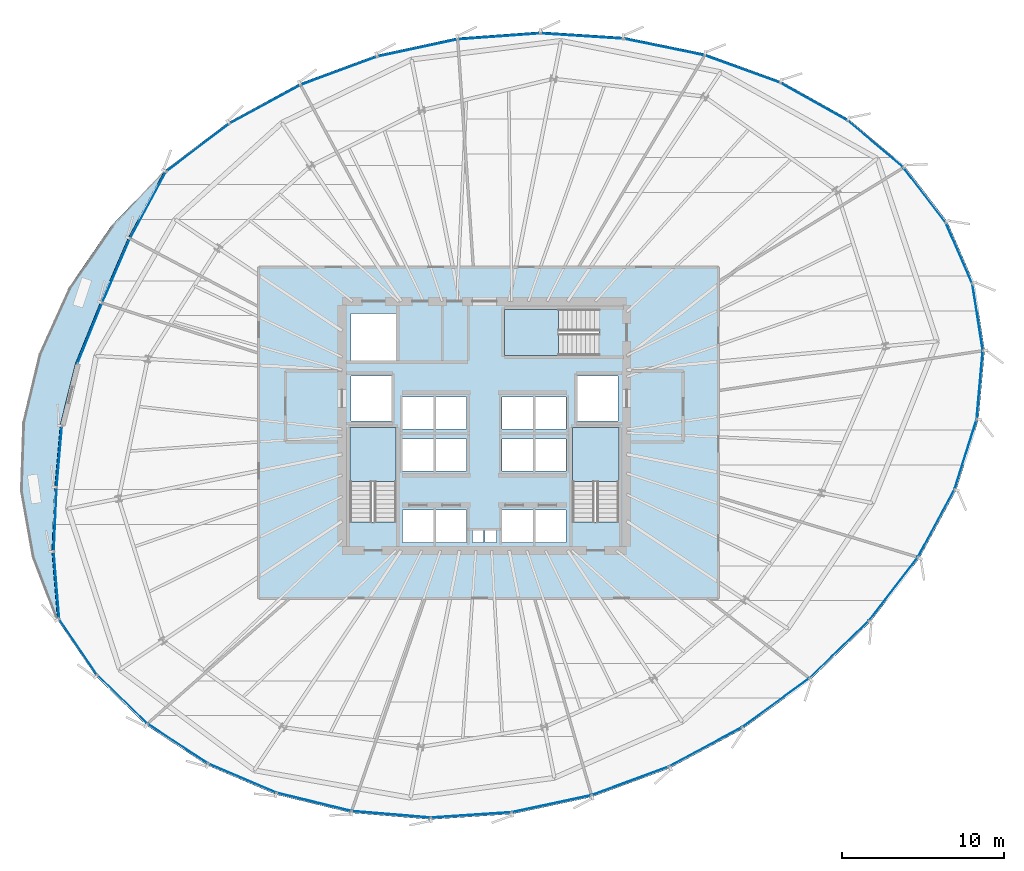
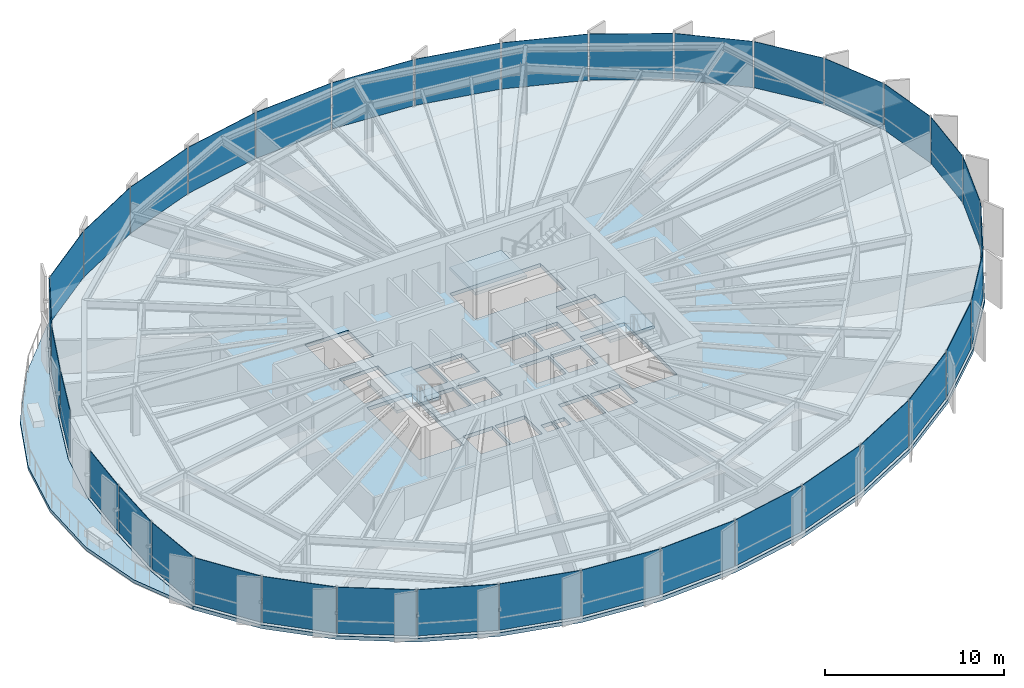
# One storey, part 28 of 35: 35 plates, 5 slabs, 10 elements without a shape of their own.
"""IFC4 building model written with IfcOpenShell, lengths in metres."""

from ifc_helpers import new_model, si_unit, direction, frame, origin, origin_2d, place, context, subcontext, project, spatial, polyline, rectangle, outline, extrude, source, transform, mapped, material, layer, layer_set, type_object, element, aggregate, save


model = new_model("IFC4")

# Units and contexts
model_context = context("Model", 3, precision=1e-05, world=origin(), true_north=direction((0.0, 1.0)))
body_context = subcontext(model_context, "Body", "Model", "MODEL_VIEW")
ifc_project = project(units=[si_unit("LENGTHUNIT", "METRE"), si_unit("AREAUNIT", "SQUARE_METRE"), si_unit("VOLUMEUNIT", "CUBIC_METRE"), si_unit("PLANEANGLEUNIT", "RADIAN"), si_unit("MASSUNIT", "GRAM", prefix="KILO"), si_unit("THERMODYNAMICTEMPERATUREUNIT", "KELVIN")], contexts=[model_context])

# Site, building, storey
site_placement = place(None, origin())
site = spatial("IfcSite", under=ifc_project, at=site_placement, CompositionType="ELEMENT")
building_placement = place(site_placement, origin())
building = spatial("IfcBuilding", under=site, at=building_placement, Name="Kethvar Cultural Tower", CompositionType="ELEMENT")
storey_placement = place(building_placement, frame((0.0, 0.0, 100.0)))
storey = spatial("IfcBuildingStorey", under=building, at=storey_placement, Name="L24", CompositionType="ELEMENT", Elevation=100.0)

# Stair, slab
ifc_material_1 = material(Name="Concrete C40/50", Category="concrete")
stair_type = type_object("IfcStairType", Name="ST-DOGLEG-135", PredefinedType="HALF_TURN_STAIR", material=ifc_material_1)
stair_1_placement = place(storey_placement, origin())
stair_1 = element("IfcStair", 1, at=stair_1_placement, inside=storey, type_object=stair_type, Name="L24 Core Exit Stair 1", PredefinedType="HALF_TURN_STAIR")
ifc_layer_1 = layer(ifc_material_1, 0.199951171875, Name="Concrete C40/50", Category="concrete")
ifc_layer_set_1 = layer_set([ifc_layer_1], Name="Concrete C40/50 (200 mm)")
slab_type_1 = type_object("IfcSlabType", Name="SL-STAIR-LANDING-200", PredefinedType="LANDING", material=ifc_layer_set_1)
slab_1_placement = place(storey_placement, frame((0.0, 0.0, 1.60009765625)))
slab_1 = element("IfcSlab", 2, at=slab_1_placement, type_object=slab_type_1, Name="ST-01 landing 1", PredefinedType="LANDING", context=body_context, shape_type="SweptSolid", body=[
    extrude(outline(polyline([(41.35009765625, 24.3701171875), (41.35009765625, 27.699951171875), (38.489990234375, 27.699951171875), (38.489990234375, 24.3701171875), (41.35009765625, 24.3701171875)])), origin(), (0.0, 0.0, 1.0), 0.199951171875),
])
aggregate(stair_1, [slab_1])

stair_2_placement = place(storey_placement, origin())
stair_2 = element("IfcStair", 3, at=stair_2_placement, inside=storey, type_object=stair_type, Name="L24 Core Exit Stair 2", PredefinedType="HALF_TURN_STAIR")
slab_2_placement = place(storey_placement, frame((0.0, 0.0, 1.60009765625)))
slab_2 = element("IfcSlab", 4, at=slab_2_placement, type_object=slab_type_1, Name="ST-02 landing 1", PredefinedType="LANDING", context=body_context, shape_type="SweptSolid", body=[
    extrude(outline(polyline([(55.110107421875, 24.3701171875), (55.110107421875, 27.699951171875), (52.25, 27.699951171875), (52.25, 24.3701171875), (55.110107421875, 24.3701171875)])), origin(), (0.0, 0.0, 1.0), 0.199951171875),
])
aggregate(stair_2, [slab_2])

stair_3_placement = place(storey_placement, origin())
stair_3 = element("IfcStair", 5, at=stair_3_placement, inside=storey, type_object=stair_type, Name="L24 Core Exit Stair 3", PredefinedType="HALF_TURN_STAIR")
slab_3_placement = place(storey_placement, frame((0.0, 0.0, 1.60009765625)))
slab_3 = element("IfcSlab", 6, at=slab_3_placement, type_object=slab_type_1, Name="ST-03 landing 1", PredefinedType="LANDING", context=body_context, shape_type="SweptSolid", body=[
    extrude(outline(polyline([(51.3798828125, 35.010009765625), (48.050048828125, 35.010009765625), (48.050048828125, 32.14990234375), (51.3798828125, 32.14990234375), (51.3798828125, 35.010009765625)])), origin(), (0.0, 0.0, 1.0), 0.199951171875),
])
aggregate(stair_3, [slab_3])

# Slabs
ifc_layer_2 = layer(ifc_material_1, 0.215087890625, Name="Concrete C40/50", Category="concrete")
ifc_layer_set_2 = layer_set([ifc_layer_2], Name="Concrete C40/50 (215 mm)")
slab_type_2 = type_object("IfcSlabType", Name="SL-TER-EXT", PredefinedType="FLOOR", material=ifc_layer_set_2)
slab_4_placement = place(storey_placement, frame((0.0, 0.0, -0.215087890625)))
element("IfcSlab", 7, at=slab_4_placement, inside=storey, type_object=slab_type_2, Name="L24 Spiralling Sky Terrace Deck", PredefinedType="FLOOR", context=body_context, shape_type="SweptSolid", body=[
    extrude(outline(polyline([(27.039794921875, 43.59912109375), (23.711181640625, 40.145263671875), (21.083984375, 36.316162109375), (19.238037109375, 32.228515625), (18.229736328125, 28.00634765625), (18.08935546875, 23.77783203125), (18.8212890625, 19.67138671875), (20.403564453125, 15.81201171875), (20.0625, 20.031982421875), (20.23876953125, 24.01123046875), (20.574462890625, 27.8505859375), (21.520263671875, 31.66796875), (23.06201171875, 35.44384765625), (24.78515625, 39.42626953125), (27.039794921875, 43.59912109375)])), origin(), (0.0, 0.0, 1.0), 0.215087890625),
])
ifc_layer_3 = layer(ifc_material_1, 0.25, Name="Concrete C40/50", Category="concrete")
ifc_layer_set_3 = layer_set([ifc_layer_3], Name="Concrete C40/50 (250 mm)")
slab_type_3 = type_object("IfcSlabType", Name="SL-TOW-250", PredefinedType="FLOOR", material=ifc_layer_set_3)
slab_5_placement = place(storey_placement, frame((0.0, 0.0, -0.25)))
element("IfcSlab", 8, at=slab_5_placement, inside=storey, type_object=slab_type_3, Name="L24 Structural Floor Slab", PredefinedType="FLOOR", context=body_context, shape_type="SweptSolid", body=[
    extrude(outline(polyline([(77.083251953125, 36.59814453125), (75.41455078125, 40.432373046875), (72.784912109375, 43.856201171875), (69.306884765625, 46.77490234375), (65.13330078125, 49.11376953125), (60.443115234375, 50.81689453125), (55.42578125, 51.845947265625), (50.26513671875, 52.1787109375), (45.125, 51.8076171875), (40.136474609375, 50.736083984375), (35.379150390625, 48.976318359375), (30.968994140625, 46.57275390625), (27.039794921875, 43.59912109375), (24.78515625, 39.42626953125), (23.06201171875, 35.44384765625), (21.520263671875, 31.66796875), (20.574462890625, 27.8505859375), (20.23876953125, 24.01123046875), (20.0625, 20.031982421875), (20.403564453125, 15.81201171875), (22.787841796875, 12.317138671875), (25.901611328125, 9.29248046875), (29.650390625, 6.830078125), (33.92041015625, 5.0048828125), (38.58154296875, 3.87255859375), (43.492431640625, 3.467041015625), (48.50390625, 3.80078125), (53.463623046875, 4.864013671875), (58.249755859375, 6.632080078125), (62.78857421875, 9.072998046875), (66.967529296875, 12.119384765625), (70.65234375, 15.676513671875), (73.69970703125, 19.627685546875), (75.970458984375, 23.8388671875), (77.343017578125, 28.166748046875), (77.728759765625, 32.466796875), (77.083251953125, 36.59814453125)]), holes=[polyline([(38.489990234375, 21.85009765625), (38.489990234375, 27.699951171875), (41.35009765625, 27.699951171875), (41.35009765625, 21.85009765625), (38.489990234375, 21.85009765625)]), polyline([(52.25, 21.85009765625), (52.25, 27.699951171875), (55.110107421875, 27.699951171875), (55.110107421875, 21.85009765625), (52.25, 21.85009765625)]), polyline([(53.89990234375, 32.14990234375), (48.050048828125, 32.14990234375), (48.050048828125, 35.010009765625), (53.89990234375, 35.010009765625), (53.89990234375, 32.14990234375)]), polyline([(41.75, 22.60009765625), (43.64990234375, 22.60009765625), (43.64990234375, 20.60009765625), (41.75, 20.60009765625), (41.75, 22.60009765625)]), polyline([(43.800048828125, 22.60009765625), (45.699951171875, 22.60009765625), (45.699951171875, 20.60009765625), (43.800048828125, 20.60009765625), (43.800048828125, 22.60009765625)]), polyline([(47.89990234375, 22.60009765625), (49.800048828125, 22.60009765625), (49.800048828125, 20.60009765625), (47.89990234375, 20.60009765625), (47.89990234375, 22.60009765625)]), polyline([(49.949951171875, 22.60009765625), (51.85009765625, 22.60009765625), (51.85009765625, 20.60009765625), (49.949951171875, 20.60009765625), (49.949951171875, 22.60009765625)]), polyline([(41.75, 27.0), (43.64990234375, 27.0), (43.64990234375, 25.0), (41.75, 25.0), (41.75, 27.0)]), polyline([(43.800048828125, 27.0), (45.699951171875, 27.0), (45.699951171875, 25.0), (43.800048828125, 25.0), (43.800048828125, 27.0)]), polyline([(47.89990234375, 27.0), (49.800048828125, 27.0), (49.800048828125, 25.0), (47.89990234375, 25.0), (47.89990234375, 27.0)]), polyline([(49.949951171875, 27.0), (51.85009765625, 27.0), (51.85009765625, 25.0), (49.949951171875, 25.0), (49.949951171875, 27.0)]), polyline([(41.75, 29.60009765625), (43.64990234375, 29.60009765625), (43.64990234375, 27.60009765625), (41.75, 27.60009765625), (41.75, 29.60009765625)]), polyline([(43.800048828125, 29.60009765625), (45.699951171875, 29.60009765625), (45.699951171875, 27.60009765625), (43.800048828125, 27.60009765625), (43.800048828125, 29.60009765625)]), polyline([(47.89990234375, 29.60009765625), (49.800048828125, 29.60009765625), (49.800048828125, 27.60009765625), (47.89990234375, 27.60009765625), (47.89990234375, 29.60009765625)]), polyline([(49.949951171875, 29.60009765625), (51.85009765625, 29.60009765625), (51.85009765625, 27.60009765625), (49.949951171875, 27.60009765625), (49.949951171875, 29.60009765625)]), polyline([(38.550048828125, 30.89990234375), (41.050048828125, 30.89990234375), (41.050048828125, 28.10009765625), (38.550048828125, 28.10009765625), (38.550048828125, 30.89990234375)]), polyline([(52.550048828125, 30.89990234375), (55.050048828125, 30.89990234375), (55.050048828125, 28.10009765625), (52.550048828125, 28.10009765625), (52.550048828125, 30.89990234375)]), polyline([(38.550048828125, 34.75), (41.35009765625, 34.75), (41.35009765625, 31.85009765625), (38.550048828125, 31.85009765625), (38.550048828125, 34.75)]), polyline([(46.050048828125, 21.35009765625), (46.75, 21.35009765625), (46.75, 20.60009765625), (46.050048828125, 20.60009765625), (46.050048828125, 21.35009765625)]), polyline([(46.85009765625, 21.35009765625), (47.550048828125, 21.35009765625), (47.550048828125, 20.60009765625), (46.85009765625, 20.60009765625), (46.85009765625, 21.35009765625)])]), origin(), (0.0, 0.0, 1.0), 0.25),
])

# Curtain wall, plate
ifc_material_2 = material(Name="Aluminium 6063-T6", Category="aluminium")
ifc_layer_4 = layer(ifc_material_2, 0.179931640625, Name="Aluminium 6063-T6", Category="aluminium")
ifc_layer_set_4 = layer_set([ifc_layer_4], Name="Aluminium 6063-T6 (180 mm)")
curtain_wall_type = type_object("IfcCurtainWallType", Name="CW-SYS-03-Z2", PredefinedType="NOTDEFINED", material=ifc_layer_set_4)
curtain_wall_1_placement = place(storey_placement, origin())
curtain_wall_1 = element("IfcCurtainWall", 9, at=curtain_wall_1_placement, inside=storey, type_object=curtain_wall_type, Name="L24 Curtain Wall Run 04", PredefinedType="NOTDEFINED")
ifc_material_3 = material(Name="Insulated Low-E Solar Glass", Category="glass")
ifc_layer_5 = layer(ifc_material_3, 0.031982421875, Name="Insulated Low-E Solar Glass", Category="glass")
ifc_layer_set_5 = layer_set([ifc_layer_5], Name="Insulated Low-E Solar Glass (32 mm)")
plate_type = type_object("IfcPlateType", Name="CW-SYS-03-Z2-PNL", PredefinedType="CURTAIN_PANEL", material=ifc_layer_set_5)
shared_shape_1 = source(origin(), body_context, "Body", "SweptSolid", [
    extrude(rectangle(XDim=4.144287109375, YDim=0.031982421875, at=origin_2d()), origin(), (0.0, 0.0, 1.0), 3.14990234375),
])
plate_1_placement = place(storey_placement, frame((21.690673828125, 14.12939453125, 0.10009765625), z_axis=(0.0, 0.0, 1.0), x_axis=(0.563540466987, -0.826088458985, 0.0)))
plate_1 = element("IfcPlate", 10, at=plate_1_placement, type_object=plate_type, Name="CW-L24-R04 Vision Glazing Panel 4", PredefinedType="CURTAIN_PANEL", context=body_context, shape_type="MappedRepresentation", body=[
    mapped(shared_shape_1, transform((0.0, 0.0, 0.0), scale=1.0)),
])

curtain_wall_2_placement = place(storey_placement, origin())
curtain_wall_2 = element("IfcCurtainWall", 11, at=curtain_wall_2_placement, inside=storey, type_object=curtain_wall_type, Name="L24 Curtain Wall Run 01", PredefinedType="NOTDEFINED")
shared_shape_2 = source(origin(), body_context, "Body", "SweptSolid", [
    extrude(rectangle(XDim=4.09521484375, YDim=0.031982421875, at=origin_2d()), origin(), (0.0, 0.0, 1.0), 3.14990234375),
])
plate_2_placement = place(storey_placement, frame((76.1435546875, 38.46923828125, 0.10009765625), z_axis=(0.0, 0.0, 1.0), x_axis=(-0.399053155632, 0.916927793766, 0.0)))
plate_2 = element("IfcPlate", 12, at=plate_2_placement, type_object=plate_type, Name="CW-L24-R01 Vision Glazing Panel 1", PredefinedType="CURTAIN_PANEL", context=body_context, shape_type="MappedRepresentation", body=[
    mapped(shared_shape_2, transform((0.0, 0.0, 0.0), scale=1.0)),
])

curtain_wall_3_placement = place(storey_placement, origin())
curtain_wall_3 = element("IfcCurtainWall", 13, at=curtain_wall_3_placement, inside=storey, type_object=curtain_wall_type, Name="L24 Curtain Wall Run 07", PredefinedType="NOTDEFINED")
plate_3_placement = place(storey_placement, frame((77.29248046875, 34.5146484375, 0.10009765625), z_axis=(0.0, 0.0, 1.0), x_axis=(-0.15436551383, 0.988013809691, 0.0)))
plate_3 = element("IfcPlate", 14, at=plate_3_placement, type_object=plate_type, Name="CW-L24-R07 Vision Glazing Panel 2", PredefinedType="CURTAIN_PANEL", context=body_context, shape_type="MappedRepresentation", body=[
    mapped(shared_shape_2, transform((0.0, 0.0, 0.0), scale=1.0)),
])

# Plate
shared_shape_3 = source(origin(), body_context, "Body", "SweptSolid", [
    extrude(rectangle(XDim=4.230712890625, YDim=0.031982421875, at=origin_2d()), origin(), (0.0, 0.0, 1.0), 3.14990234375),
])
plate_4_placement = place(storey_placement, frame((74.008544921875, 42.07421875, 0.10009765625), z_axis=(0.0, 0.0, 1.0), x_axis=(-0.609121378644, 0.793077011443, 0.0)))
plate_4 = element("IfcPlate", 15, at=plate_4_placement, type_object=plate_type, Name="CW-L24-R01 Vision Glazing Panel 2", PredefinedType="CURTAIN_PANEL", context=body_context, shape_type="MappedRepresentation", body=[
    mapped(shared_shape_3, transform((0.0, 0.0, 0.0), scale=1.0)),
])

plate_5_placement = place(storey_placement, frame((77.42138671875, 30.326904296875, 0.10009765625), z_axis=(0.0, 0.0, 1.0), x_axis=(0.089346276796, 0.996000623907, 0.0)))
plate_5 = element("IfcPlate", 16, at=plate_5_placement, type_object=plate_type, Name="CW-L24-R07 Vision Glazing Panel 1", PredefinedType="CURTAIN_PANEL", context=body_context, shape_type="MappedRepresentation", body=[
    mapped(shared_shape_3, transform((0.0, 0.0, 0.0), scale=1.0)),
])

aggregate(curtain_wall_3, [plate_5, plate_3])

shared_shape_4 = source(origin(), body_context, "Body", "SweptSolid", [
    extrude(rectangle(XDim=4.4541015625, YDim=0.031982421875, at=origin_2d()), origin(), (0.0, 0.0, 1.0), 3.14990234375),
])
plate_6_placement = place(storey_placement, frame((70.97216796875, 45.227294921875, 0.10009765625), z_axis=(0.0, 0.0, 1.0), x_axis=(-0.765999566211, 0.642841088111, 0.0)))
plate_6 = element("IfcPlate", 17, at=plate_6_placement, type_object=plate_type, Name="CW-L24-R01 Vision Glazing Panel 3", PredefinedType="CURTAIN_PANEL", context=body_context, shape_type="MappedRepresentation", body=[
    mapped(shared_shape_4, transform((0.0, 0.0, 0.0), scale=1.0)),
])

# Curtain wall, plate
curtain_wall_4_placement = place(storey_placement, origin())
curtain_wall_4 = element("IfcCurtainWall", 18, at=curtain_wall_4_placement, inside=storey, type_object=curtain_wall_type, Name="L24 Curtain Wall Run 06", PredefinedType="NOTDEFINED")
plate_7_placement = place(storey_placement, frame((76.547119140625, 26.03759765625, 0.10009765625), z_axis=(0.0, 0.0, 1.0), x_axis=(0.302303344751, 0.953211774871, 0.0)))
plate_7 = element("IfcPlate", 19, at=plate_7_placement, type_object=plate_type, Name="CW-L24-R06 Vision Glazing Panel 6", PredefinedType="CURTAIN_PANEL", context=body_context, shape_type="MappedRepresentation", body=[
    mapped(shared_shape_4, transform((0.0, 0.0, 0.0), scale=1.0)),
])

# Plate
shared_shape_5 = source(origin(), body_context, "Body", "SweptSolid", [
    extrude(rectangle(XDim=4.697998046875, YDim=0.031982421875, at=origin_2d()), origin(), (0.0, 0.0, 1.0), 3.14990234375),
])
plate_8_placement = place(storey_placement, frame((67.163818359375, 47.843994140625, 0.10009765625), z_axis=(0.0, 0.0, 1.0), x_axis=(-0.872359524264, 0.48886486929, 0.0)))
plate_8 = element("IfcPlate", 20, at=plate_8_placement, type_object=plate_type, Name="CW-L24-R01 Vision Glazing Panel 4", PredefinedType="CURTAIN_PANEL", context=body_context, shape_type="MappedRepresentation", body=[
    mapped(shared_shape_5, transform((0.0, 0.0, 0.0), scale=1.0)),
])

plate_9_placement = place(storey_placement, frame((74.73388671875, 21.787841796875, 0.10009765625), z_axis=(0.0, 0.0, 1.0), x_axis=(0.474610611324, 0.880195868894, 0.0)))
plate_9 = element("IfcPlate", 21, at=plate_9_placement, type_object=plate_type, Name="CW-L24-R06 Vision Glazing Panel 5", PredefinedType="CURTAIN_PANEL", context=body_context, shape_type="MappedRepresentation", body=[
    mapped(shared_shape_5, transform((0.0, 0.0, 0.0), scale=1.0)),
])

shared_shape_6 = source(origin(), body_context, "Body", "SweptSolid", [
    extrude(rectangle(XDim=4.9033203125, YDim=0.031982421875, at=origin_2d()), origin(), (0.0, 0.0, 1.0), 3.14990234375),
])
plate_10_placement = place(storey_placement, frame((62.7490234375, 49.857177734375, 0.10009765625), z_axis=(0.0, 0.0, 1.0), x_axis=(-0.939954996288, 0.341298410417, 0.0)))
plate_10 = element("IfcPlate", 22, at=plate_10_placement, type_object=plate_type, Name="CW-L24-R01 Vision Glazing Panel 5", PredefinedType="CURTAIN_PANEL", context=body_context, shape_type="MappedRepresentation", body=[
    mapped(shared_shape_6, transform((0.0, 0.0, 0.0), scale=1.0)),
])

shared_shape_7 = source(origin(), body_context, "Body", "SweptSolid", [
    extrude(rectangle(XDim=5.035400390625, YDim=0.031982421875, at=origin_2d()), origin(), (0.0, 0.0, 1.0), 3.14990234375),
])
plate_11_placement = place(storey_placement, frame((57.91162109375, 51.21875, 0.10009765625), z_axis=(0.0, 0.0, 1.0), x_axis=(-0.97960682276, 0.200924047346, 0.0)))
plate_11 = element("IfcPlate", 23, at=plate_11_placement, type_object=plate_type, Name="CW-L24-R01 Vision Glazing Panel 6", PredefinedType="CURTAIN_PANEL", context=body_context, shape_type="MappedRepresentation", body=[
    mapped(shared_shape_7, transform((0.0, 0.0, 0.0), scale=1.0)),
])

aggregate(curtain_wall_2, [plate_2, plate_4, plate_6, plate_8, plate_10, plate_11])

# Curtain wall, plates
curtain_wall_5_placement = place(storey_placement, origin())
curtain_wall_5 = element("IfcCurtainWall", 24, at=curtain_wall_5_placement, inside=storey, type_object=curtain_wall_type, Name="L24 Curtain Wall Run 02", PredefinedType="NOTDEFINED")
shared_shape_8 = source(origin(), body_context, "Body", "SweptSolid", [
    extrude(rectangle(XDim=5.085205078125, YDim=0.031982421875, at=origin_2d()), origin(), (0.0, 0.0, 1.0), 3.14990234375),
])
plate_12_placement = place(storey_placement, frame((52.838134765625, 51.897705078125, 0.10009765625), z_axis=(0.0, 0.0, 1.0), x_axis=(-0.997925742672, 0.064375555239, 0.0)))
plate_12 = element("IfcPlate", 25, at=plate_12_placement, type_object=plate_type, Name="CW-L24-R02 Vision Glazing Panel 1", PredefinedType="CURTAIN_PANEL", context=body_context, shape_type="MappedRepresentation", body=[
    mapped(shared_shape_8, transform((0.0, 0.0, 0.0), scale=1.0)),
])
shared_shape_9 = source(origin(), body_context, "Body", "SweptSolid", [
    extrude(rectangle(XDim=5.067138671875, YDim=0.031982421875, at=origin_2d()), origin(), (0.0, 0.0, 1.0), 3.14990234375),
])
plate_13_placement = place(storey_placement, frame((47.70361328125, 51.87841796875, 0.10009765625), z_axis=(0.0, 0.0, 1.0), x_axis=(-0.997401953099, -0.07203710124, 0.0)))
plate_13 = element("IfcPlate", 26, at=plate_13_placement, type_object=plate_type, Name="CW-L24-R02 Vision Glazing Panel 2", PredefinedType="CURTAIN_PANEL", context=body_context, shape_type="MappedRepresentation", body=[
    mapped(shared_shape_9, transform((0.0, 0.0, 0.0), scale=1.0)),
])

# Plate
plate_14_placement = place(storey_placement, frame((60.464599609375, 7.953857421875, 0.10009765625), z_axis=(0.0, 0.0, 1.0), x_axis=(0.880733731028, 0.473611755586, 0.0)))
plate_14 = element("IfcPlate", 27, at=plate_14_placement, type_object=plate_type, Name="CW-L24-R06 Vision Glazing Panel 1", PredefinedType="CURTAIN_PANEL", context=body_context, shape_type="MappedRepresentation", body=[
    mapped(shared_shape_9, transform((0.0, 0.0, 0.0), scale=1.0)),
])

shared_shape_10 = source(origin(), body_context, "Body", "SweptSolid", [
    extrude(rectangle(XDim=5.01611328125, YDim=0.031982421875, at=origin_2d()), origin(), (0.0, 0.0, 1.0), 3.14990234375),
])
plate_15_placement = place(storey_placement, frame((42.65478515625, 51.159423828125, 0.10009765625), z_axis=(0.0, 0.0, 1.0), x_axis=(-0.977702676931, -0.209993989253, 0.0)))
plate_15 = element("IfcPlate", 28, at=plate_15_placement, type_object=plate_type, Name="CW-L24-R02 Vision Glazing Panel 3", PredefinedType="CURTAIN_PANEL", context=body_context, shape_type="MappedRepresentation", body=[
    mapped(shared_shape_10, transform((0.0, 0.0, 0.0), scale=1.0)),
])

shared_shape_11 = source(origin(), body_context, "Body", "SweptSolid", [
    extrude(rectangle(XDim=4.986083984375, YDim=0.031982421875, at=origin_2d()), origin(), (0.0, 0.0, 1.0), 3.14990234375),
])
plate_16_placement = place(storey_placement, frame((37.797607421875, 49.748291015625, 0.10009765625), z_axis=(0.0, 0.0, 1.0), x_axis=(-0.937876823702, -0.346968389862, 0.0)))
plate_16 = element("IfcPlate", 29, at=plate_16_placement, type_object=plate_type, Name="CW-L24-R02 Vision Glazing Panel 4", PredefinedType="CURTAIN_PANEL", context=body_context, shape_type="MappedRepresentation", body=[
    mapped(shared_shape_11, transform((0.0, 0.0, 0.0), scale=1.0)),
])

# Curtain wall, plate
curtain_wall_6_placement = place(storey_placement, origin())
curtain_wall_6 = element("IfcCurtainWall", 30, at=curtain_wall_6_placement, inside=storey, type_object=curtain_wall_type, Name="L24 Curtain Wall Run 05", PredefinedType="NOTDEFINED")
plate_17_placement = place(storey_placement, frame((50.959716796875, 4.44482421875, 0.10009765625), z_axis=(0.0, 0.0, 1.0), x_axis=(0.977790553231, 0.209584431702, 0.0)))
plate_17 = element("IfcPlate", 31, at=plate_17_placement, type_object=plate_type, Name="CW-L24-R05 Vision Glazing Panel 5", PredefinedType="CURTAIN_PANEL", context=body_context, shape_type="MappedRepresentation", body=[
    mapped(shared_shape_11, transform((0.0, 0.0, 0.0), scale=1.0)),
])

# Plate
shared_shape_12 = source(origin(), body_context, "Body", "SweptSolid", [
    extrude(rectangle(XDim=4.93603515625, YDim=0.031982421875, at=origin_2d()), origin(), (0.0, 0.0, 1.0), 3.14990234375),
])
plate_18_placement = place(storey_placement, frame((33.229248046875, 47.673583984375, 0.10009765625), z_axis=(0.0, 0.0, 1.0), x_axis=(-0.878074861486, -0.478523288489, 0.0)))
plate_18 = element("IfcPlate", 32, at=plate_18_placement, type_object=plate_type, Name="CW-L24-R02 Vision Glazing Panel 5", PredefinedType="CURTAIN_PANEL", context=body_context, shape_type="MappedRepresentation", body=[
    mapped(shared_shape_12, transform((0.0, 0.0, 0.0), scale=1.0)),
])

plate_19_placement = place(storey_placement, frame((45.990478515625, 3.748779296875, 0.10009765625), z_axis=(0.0, 0.0, 1.0), x_axis=(0.997788726228, 0.066465463307, 0.0)))
plate_19 = element("IfcPlate", 33, at=plate_19_placement, type_object=plate_type, Name="CW-L24-R05 Vision Glazing Panel 4", PredefinedType="CURTAIN_PANEL", context=body_context, shape_type="MappedRepresentation", body=[
    mapped(shared_shape_12, transform((0.0, 0.0, 0.0), scale=1.0)),
])

shared_shape_13 = source(origin(), body_context, "Body", "SweptSolid", [
    extrude(rectangle(XDim=4.84130859375, YDim=0.031982421875, at=origin_2d()), origin(), (0.0, 0.0, 1.0), 3.14990234375),
])
plate_20_placement = place(storey_placement, frame((29.073974609375, 44.994140625, 0.10009765625), z_axis=(0.0, 0.0, 1.0), x_axis=(-0.797373320929, -0.603486360302, 0.0)))
plate_20 = element("IfcPlate", 34, at=plate_20_placement, type_object=plate_type, Name="CW-L24-R02 Vision Glazing Panel 6", PredefinedType="CURTAIN_PANEL", context=body_context, shape_type="MappedRepresentation", body=[
    mapped(shared_shape_13, transform((0.0, 0.0, 0.0), scale=1.0)),
])

aggregate(curtain_wall_5, [plate_12, plate_13, plate_15, plate_16, plate_18, plate_20])

plate_21_placement = place(storey_placement, frame((41.04638671875, 3.784423828125, 0.10009765625), z_axis=(0.0, 0.0, 1.0), x_axis=(0.996608724165, -0.082286395708, 0.0)))
plate_21 = element("IfcPlate", 35, at=plate_21_placement, type_object=plate_type, Name="CW-L24-R05 Vision Glazing Panel 3", PredefinedType="CURTAIN_PANEL", context=body_context, shape_type="MappedRepresentation", body=[
    mapped(shared_shape_13, transform((0.0, 0.0, 0.0), scale=1.0)),
])

# Curtain wall, plates
curtain_wall_7_placement = place(storey_placement, origin())
curtain_wall_7 = element("IfcCurtainWall", 36, at=curtain_wall_7_placement, inside=storey, type_object=curtain_wall_type, Name="L24 Curtain Wall Run 03", PredefinedType="NOTDEFINED")
shared_shape_14 = source(origin(), body_context, "Body", "SweptSolid", [
    extrude(rectangle(XDim=4.656494140625, YDim=0.031982421875, at=origin_2d()), origin(), (0.0, 0.0, 1.0), 3.14990234375),
])
plate_22_placement = place(storey_placement, frame((26.013671875, 41.4580078125, 0.10009765625), z_axis=(0.0, 0.0, 1.0), x_axis=(-0.475378546307, -0.879781357902, 0.0)))
plate_22 = element("IfcPlate", 37, at=plate_22_placement, type_object=plate_type, Name="CW-L24-R03 Vision Glazing Panel 1", PredefinedType="CURTAIN_PANEL", context=body_context, shape_type="MappedRepresentation", body=[
    mapped(shared_shape_14, transform((0.0, 0.0, 0.0), scale=1.0)),
])
shared_shape_15 = source(origin(), body_context, "Body", "SweptSolid", [
    extrude(rectangle(XDim=4.252685546875, YDim=0.031982421875, at=origin_2d()), origin(), (0.0, 0.0, 1.0), 3.14990234375),
])
plate_23_placement = place(storey_placement, frame((24.029296875, 37.389404296875, 0.10009765625), z_axis=(0.0, 0.0, 1.0), x_axis=(-0.397099836571, -0.917775419041, 0.0)))
plate_23 = element("IfcPlate", 38, at=plate_23_placement, type_object=plate_type, Name="CW-L24-R03 Vision Glazing Panel 2", PredefinedType="CURTAIN_PANEL", context=body_context, shape_type="MappedRepresentation", body=[
    mapped(shared_shape_15, transform((0.0, 0.0, 0.0), scale=1.0)),
])
shared_shape_16 = source(origin(), body_context, "Body", "SweptSolid", [
    extrude(rectangle(XDim=3.9921875, YDim=0.031982421875, at=origin_2d()), origin(), (0.0, 0.0, 1.0), 3.14990234375),
])
plate_24_placement = place(storey_placement, frame((22.397705078125, 33.512451171875, 0.10009765625), z_axis=(0.0, 0.0, 1.0), x_axis=(-0.378050850463, -0.925784831624, 0.0)))
plate_24 = element("IfcPlate", 39, at=plate_24_placement, type_object=plate_type, Name="CW-L24-R03 Vision Glazing Panel 3", PredefinedType="CURTAIN_PANEL", context=body_context, shape_type="MappedRepresentation", body=[
    mapped(shared_shape_16, transform((0.0, 0.0, 0.0), scale=1.0)),
])
aggregate(curtain_wall_7, [plate_22, plate_23, plate_24])

# Plate
shared_shape_17 = source(origin(), body_context, "Body", "SweptSolid", [
    extrude(rectangle(XDim=3.767578125, YDim=0.031982421875, at=origin_2d()), origin(), (0.0, 0.0, 1.0), 3.14990234375),
])
plate_25_placement = place(storey_placement, frame((20.52099609375, 25.9208984375, 0.10009765625), z_axis=(0.0, 0.0, 1.0), x_axis=(-0.087138355857, -0.996196219095, 0.0)))
plate_25 = element("IfcPlate", 40, at=plate_25_placement, type_object=plate_type, Name="CW-L24-R04 Vision Glazing Panel 1", PredefinedType="CURTAIN_PANEL", context=body_context, shape_type="MappedRepresentation", body=[
    mapped(shared_shape_17, transform((0.0, 0.0, 0.0), scale=1.0)),
])

shared_shape_18 = source(origin(), body_context, "Body", "SweptSolid", [
    extrude(rectangle(XDim=3.896728515625, YDim=0.031982421875, at=origin_2d()), origin(), (0.0, 0.0, 1.0), 3.14990234375),
])
plate_26_placement = place(storey_placement, frame((20.265625, 22.0166015625, 0.10009765625), z_axis=(0.0, 0.0, 1.0), x_axis=(-0.0442122268, -0.999022161417, 0.0)))
plate_26 = element("IfcPlate", 41, at=plate_26_placement, type_object=plate_type, Name="CW-L24-R04 Vision Glazing Panel 2", PredefinedType="CURTAIN_PANEL", context=body_context, shape_type="MappedRepresentation", body=[
    mapped(shared_shape_18, transform((0.0, 0.0, 0.0), scale=1.0)),
])

shared_shape_19 = source(origin(), body_context, "Body", "SweptSolid", [
    extrude(rectangle(XDim=4.1474609375, YDim=0.031982421875, at=origin_2d()), origin(), (0.0, 0.0, 1.0), 3.14990234375),
])
plate_27_placement = place(storey_placement, frame((20.34765625, 17.931396484375, 0.10009765625), z_axis=(0.0, 0.0, 1.0), x_axis=(0.080546860903, -0.996750823024, 0.0)))
plate_27 = element("IfcPlate", 42, at=plate_27_placement, type_object=plate_type, Name="CW-L24-R04 Vision Glazing Panel 3", PredefinedType="CURTAIN_PANEL", context=body_context, shape_type="MappedRepresentation", body=[
    mapped(shared_shape_19, transform((0.0, 0.0, 0.0), scale=1.0)),
])

shared_shape_20 = source(origin(), body_context, "Body", "SweptSolid", [
    extrude(rectangle(XDim=4.254638671875, YDim=0.031982421875, at=origin_2d()), origin(), (0.0, 0.0, 1.0), 3.14990234375),
])
plate_28_placement = place(storey_placement, frame((24.4248046875, 10.88720703125, 0.10009765625), z_axis=(0.0, 0.0, 1.0), x_axis=(0.717299866265, -0.696764595725, 0.0)))
plate_28 = element("IfcPlate", 43, at=plate_28_placement, type_object=plate_type, Name="CW-L24-R04 Vision Glazing Panel 5", PredefinedType="CURTAIN_PANEL", context=body_context, shape_type="MappedRepresentation", body=[
    mapped(shared_shape_20, transform((0.0, 0.0, 0.0), scale=1.0)),
])

shared_shape_21 = source(origin(), body_context, "Body", "SweptSolid", [
    extrude(rectangle(XDim=4.398681640625, YDim=0.031982421875, at=origin_2d()), origin(), (0.0, 0.0, 1.0), 3.14990234375),
])
plate_29_placement = place(storey_placement, frame((27.839111328125, 8.157470703125, 0.10009765625), z_axis=(0.0, 0.0, 1.0), x_axis=(0.835826525371, -0.548993642483, 0.0)))
plate_29 = element("IfcPlate", 44, at=plate_29_placement, type_object=plate_type, Name="CW-L24-R04 Vision Glazing Panel 6", PredefinedType="CURTAIN_PANEL", context=body_context, shape_type="MappedRepresentation", body=[
    mapped(shared_shape_21, transform((0.0, 0.0, 0.0), scale=1.0)),
])

aggregate(curtain_wall_1, [plate_25, plate_26, plate_27, plate_1, plate_28, plate_29])

shared_shape_22 = source(origin(), body_context, "Body", "SweptSolid", [
    extrude(rectangle(XDim=4.557373046875, YDim=0.031982421875, at=origin_2d()), origin(), (0.0, 0.0, 1.0), 3.14990234375),
])
plate_30_placement = place(storey_placement, frame((31.83056640625, 6.023193359375, 0.10009765625), z_axis=(0.0, 0.0, 1.0), x_axis=(0.919519932848, -0.393043373047, 0.0)))
plate_30 = element("IfcPlate", 45, at=plate_30_placement, type_object=plate_type, Name="CW-L24-R05 Vision Glazing Panel 1", PredefinedType="CURTAIN_PANEL", context=body_context, shape_type="MappedRepresentation", body=[
    mapped(shared_shape_22, transform((0.0, 0.0, 0.0), scale=1.0)),
])

shared_shape_23 = source(origin(), body_context, "Body", "SweptSolid", [
    extrude(rectangle(XDim=4.71044921875, YDim=0.031982421875, at=origin_2d()), origin(), (0.0, 0.0, 1.0), 3.14990234375),
])
plate_31_placement = place(storey_placement, frame((36.278076171875, 4.55029296875, 0.10009765625), z_axis=(0.0, 0.0, 1.0), x_axis=(0.971730712139, -0.236091980139, 0.0)))
plate_31 = element("IfcPlate", 46, at=plate_31_placement, type_object=plate_type, Name="CW-L24-R05 Vision Glazing Panel 2", PredefinedType="CURTAIN_PANEL", context=body_context, shape_type="MappedRepresentation", body=[
    mapped(shared_shape_23, transform((0.0, 0.0, 0.0), scale=1.0)),
])

shared_shape_24 = source(origin(), body_context, "Body", "SweptSolid", [
    extrude(rectangle(XDim=5.015869140625, YDim=0.031982421875, at=origin_2d()), origin(), (0.0, 0.0, 1.0), 3.14990234375),
])
plate_32_placement = place(storey_placement, frame((55.81689453125, 5.85595703125, 0.10009765625), z_axis=(0.0, 0.0, 1.0), x_axis=(0.938022079197, 0.346575502509, 0.0)))
plate_32 = element("IfcPlate", 47, at=plate_32_placement, type_object=plate_type, Name="CW-L24-R05 Vision Glazing Panel 6", PredefinedType="CURTAIN_PANEL", context=body_context, shape_type="MappedRepresentation", body=[
    mapped(shared_shape_24, transform((0.0, 0.0, 0.0), scale=1.0)),
])

aggregate(curtain_wall_6, [plate_30, plate_31, plate_21, plate_19, plate_17, plate_32])

shared_shape_25 = source(origin(), body_context, "Body", "SweptSolid", [
    extrude(rectangle(XDim=5.0849609375, YDim=0.031982421875, at=origin_2d()), origin(), (0.0, 0.0, 1.0), 3.14990234375),
])
plate_33_placement = place(storey_placement, frame((64.810302734375, 10.689208984375, 0.10009765625), z_axis=(0.0, 0.0, 1.0), x_axis=(0.808072143353, 0.58908353494, 0.0)))
plate_33 = element("IfcPlate", 48, at=plate_33_placement, type_object=plate_type, Name="CW-L24-R06 Vision Glazing Panel 2", PredefinedType="CURTAIN_PANEL", context=body_context, shape_type="MappedRepresentation", body=[
    mapped(shared_shape_25, transform((0.0, 0.0, 0.0), scale=1.0)),
])

shared_shape_26 = source(origin(), body_context, "Body", "SweptSolid", [
    extrude(rectangle(XDim=5.03515625, YDim=0.031982421875, at=origin_2d()), origin(), (0.0, 0.0, 1.0), 3.14990234375),
])
plate_34_placement = place(storey_placement, frame((68.72998046875, 13.980712890625, 0.10009765625), z_axis=(0.0, 0.0, 1.0), x_axis=(0.719448908145, 0.694545368258, 0.0)))
plate_34 = element("IfcPlate", 49, at=plate_34_placement, type_object=plate_type, Name="CW-L24-R06 Vision Glazing Panel 3", PredefinedType="CURTAIN_PANEL", context=body_context, shape_type="MappedRepresentation", body=[
    mapped(shared_shape_26, transform((0.0, 0.0, 0.0), scale=1.0)),
])

shared_shape_27 = source(origin(), body_context, "Body", "SweptSolid", [
    extrude(rectangle(XDim=4.903564453125, YDim=0.031982421875, at=origin_2d()), origin(), (0.0, 0.0, 1.0), 3.14990234375),
])
plate_35_placement = place(storey_placement, frame((72.0849609375, 17.722412109375, 0.10009765625), z_axis=(0.0, 0.0, 1.0), x_axis=(0.610739598722, 0.791831511467, 0.0)))
plate_35 = element("IfcPlate", 50, at=plate_35_placement, type_object=plate_type, Name="CW-L24-R06 Vision Glazing Panel 4", PredefinedType="CURTAIN_PANEL", context=body_context, shape_type="MappedRepresentation", body=[
    mapped(shared_shape_27, transform((0.0, 0.0, 0.0), scale=1.0)),
])

aggregate(curtain_wall_4, [plate_14, plate_33, plate_34, plate_35, plate_9, plate_7])

save(model, "model.ifc")
